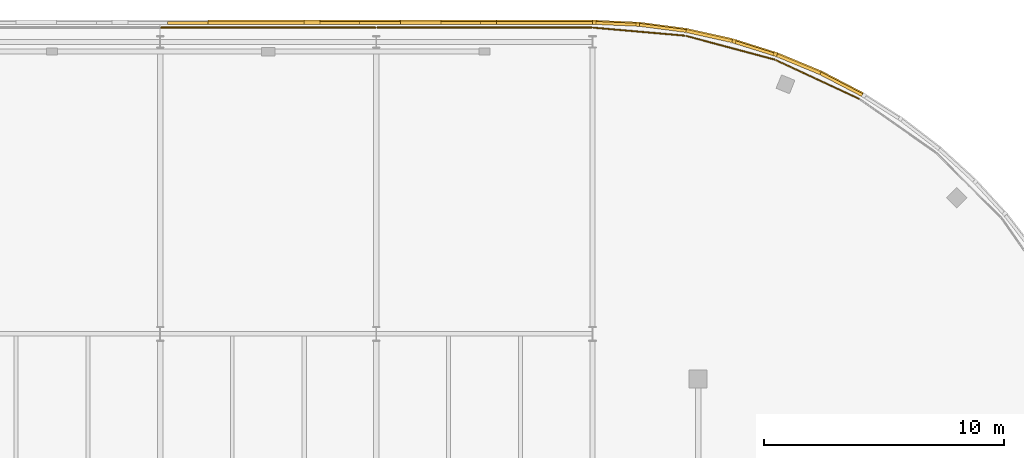
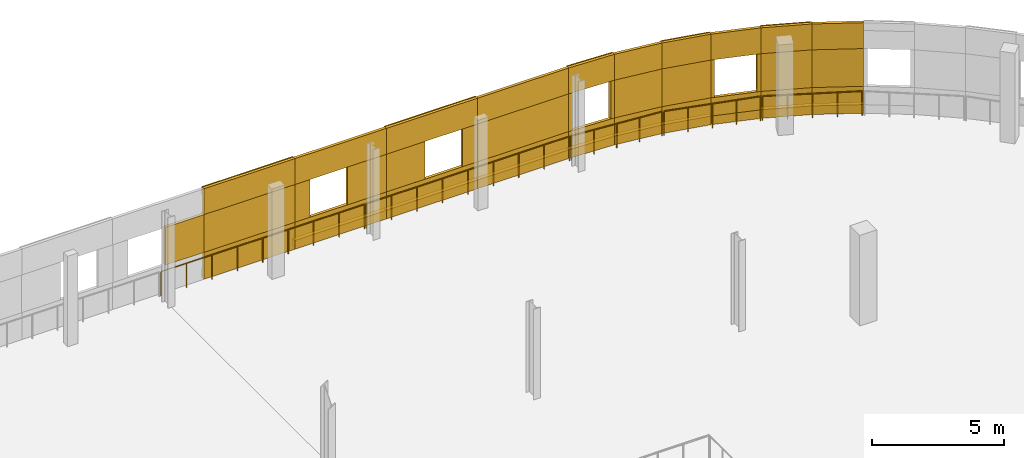
# One storey, part 130 of 135: 50 coverings, 5 railings.
"""IFC4 building model written with IfcOpenShell, lengths in metres."""

from ifc_helpers import new_model, si_unit, direction, frame, origin, origin_2d, place, context, subcontext, project, spatial, rectangle, circle, extrude, material, layer, layer_set, type_object, element, save


model = new_model("IFC4")

# Units and contexts
model_context = context("Model", 3, precision=1e-05, world=origin(), true_north=direction((0.0, 1.0)))
body_context = subcontext(model_context, "Body", "Model", "MODEL_VIEW")
ifc_project = project(units=[si_unit("LENGTHUNIT", "METRE"), si_unit("AREAUNIT", "SQUARE_METRE"), si_unit("VOLUMEUNIT", "CUBIC_METRE"), si_unit("PLANEANGLEUNIT", "RADIAN"), si_unit("MASSUNIT", "GRAM", prefix="KILO")], contexts=[model_context])

# Site, building, storey
site_placement = place(None, origin())
site = spatial("IfcSite", under=ifc_project, at=site_placement, CompositionType="ELEMENT")
building_placement = place(site_placement, origin())
building = spatial("IfcBuilding", under=site, at=building_placement, Name="Deido Ridge Mobility Hub", CompositionType="ELEMENT")
storey_placement = place(building_placement, frame((0.0, 0.0, 4.199951171875)))
storey = spatial("IfcBuildingStorey", under=building, at=storey_placement, Name="L01", CompositionType="ELEMENT", Elevation=4.199951171875)

# Coverings
ifc_material_1 = material(Name="Fired clay brick masonry", Category="masonry")
ifc_layer = layer(ifc_material_1, 0.114990234375, Name="Fired clay brick masonry")
ifc_layer_set = layer_set([ifc_layer], Name="Fired clay brick masonry")
covering_type = type_object("IfcCoveringType", Name="COV-BRK-SCREEN-115", PredefinedType="CLADDING", material=ifc_layer_set)
covering_1_placement = place(storey_placement, frame((127.355224609375, 123.392333984375, 0.0), z_axis=(0.0, 0.0, 1.0), x_axis=(-0.887018892077, 0.461733131905, 0.0)))
element("IfcCovering", 1, at=covering_1_placement, inside=storey, type_object=covering_type, Name="Open brickwork spandrel course BKS1 (L01)", PredefinedType="CLADDING", context=body_context, shape_type="SweptSolid", body=[
    extrude(rectangle(XDim=1.9619140625, YDim=0.125, at=origin_2d()), origin(), (0.0, 0.0, 1.0), 1.25),
])
covering_2_placement = place(storey_placement, frame((127.367919921875, 123.416748046875, 0.0), z_axis=(0.0, 0.0, 1.0), x_axis=(-0.887018892077, 0.461733131905, 0.0)))
element("IfcCovering", 2, at=covering_2_placement, inside=storey, type_object=covering_type, Name="Raised brick relief belt BKS1 (L01)", PredefinedType="CLADDING", context=body_context, shape_type="SweptSolid", body=[
    extrude(rectangle(XDim=1.9619140625, YDim=0.179931640625, at=origin_2d()), origin(), (0.0, 0.0, 1.0), 0.39990234375),
])
covering_3_placement = place(storey_placement, frame((127.355224609375, 123.392333984375, 3.0), z_axis=(0.0, 0.0, 1.0), x_axis=(-0.887018892077, 0.461733131905, 0.0)))
element("IfcCovering", 3, at=covering_3_placement, inside=storey, type_object=covering_type, Name="Open brickwork lintel course BKS1 (L01)", PredefinedType="CLADDING", context=body_context, shape_type="SweptSolid", body=[
    extrude(rectangle(XDim=1.9619140625, YDim=0.125, at=origin_2d()), origin(), (0.0, 0.0, 1.0), 1.199951171875),
])
covering_4_placement = place(storey_placement, frame((127.355224609375, 123.392333984375, 1.25), z_axis=(0.0, 0.0, 1.0), x_axis=(-0.887018892077, 0.461733131905, 0.0)))
element("IfcCovering", 4, at=covering_4_placement, inside=storey, type_object=covering_type, Name="Curved raised brickwork pier BKS1 (L01)", PredefinedType="CLADDING", context=body_context, shape_type="SweptSolid", body=[
    extrude(rectangle(XDim=1.9619140625, YDim=0.125, at=origin_2d()), origin(), (0.0, 0.0, 1.0), 1.75),
])
covering_5_placement = place(storey_placement, frame((125.58203125, 124.218994140625, 0.0), z_axis=(0.0, 0.0, 1.0), x_axis=(-0.923872853285, 0.382699557047, 0.0)))
element("IfcCovering", 5, at=covering_5_placement, inside=storey, type_object=covering_type, Name="Open brickwork spandrel course BKS1 (L01)", PredefinedType="CLADDING", context=body_context, shape_type="SweptSolid", body=[
    extrude(rectangle(XDim=1.9619140625, YDim=0.125, at=origin_2d()), origin(), (0.0, 0.0, 1.0), 1.25),
])
covering_6_placement = place(storey_placement, frame((125.5927734375, 124.244384765625, 0.0), z_axis=(0.0, 0.0, 1.0), x_axis=(-0.923872853285, 0.382699557047, 0.0)))
element("IfcCovering", 6, at=covering_6_placement, inside=storey, type_object=covering_type, Name="Raised brick relief belt BKS1 (L01)", PredefinedType="CLADDING", context=body_context, shape_type="SweptSolid", body=[
    extrude(rectangle(XDim=1.9619140625, YDim=0.179931640625, at=origin_2d()), origin(), (0.0, 0.0, 1.0), 0.39990234375),
])
covering_7_placement = place(storey_placement, frame((125.58203125, 124.218994140625, 3.0), z_axis=(0.0, 0.0, 1.0), x_axis=(-0.923872853285, 0.382699557047, 0.0)))
element("IfcCovering", 7, at=covering_7_placement, inside=storey, type_object=covering_type, Name="Open brickwork lintel course BKS1 (L01)", PredefinedType="CLADDING", context=body_context, shape_type="SweptSolid", body=[
    extrude(rectangle(XDim=1.9619140625, YDim=0.125, at=origin_2d()), origin(), (0.0, 0.0, 1.0), 1.199951171875),
])
covering_8_placement = place(storey_placement, frame((125.5927734375, 124.244384765625, 3.83984375), z_axis=(0.0, 0.0, 1.0), x_axis=(-0.923872853285, 0.382699557047, 0.0)))
element("IfcCovering", 8, at=covering_8_placement, inside=storey, type_object=covering_type, Name="Raised brick relief cornice BKS1 (L01)", PredefinedType="CLADDING", context=body_context, shape_type="SweptSolid", body=[
    extrude(rectangle(XDim=1.9619140625, YDim=0.179931640625, at=origin_2d()), origin(), (0.0, 0.0, 1.0), 0.360107421875),
])
covering_9_placement = place(storey_placement, frame((125.5927734375, 124.244384765625, 1.25), z_axis=(0.0, 0.0, 1.0), x_axis=(-0.923872853285, 0.382699557047, 0.0)))
element("IfcCovering", 9, at=covering_9_placement, inside=storey, type_object=covering_type, Name="Curved raised brickwork pier BKS1 (L01)", PredefinedType="CLADDING", context=body_context, shape_type="SweptSolid", body=[
    extrude(rectangle(XDim=1.9619140625, YDim=0.179931640625, at=origin_2d()), origin(), (0.0, 0.0, 1.0), 1.75),
])
covering_10_placement = place(storey_placement, frame((123.74365234375, 124.88818359375, 0.0), z_axis=(0.0, 0.0, 1.0), x_axis=(-0.95372744678, 0.300672508319, 0.0)))
element("IfcCovering", 10, at=covering_10_placement, inside=storey, type_object=covering_type, Name="Open brickwork spandrel course BKS1 (L01)", PredefinedType="CLADDING", context=body_context, shape_type="SweptSolid", body=[
    extrude(rectangle(XDim=1.9619140625, YDim=0.125, at=origin_2d()), origin(), (0.0, 0.0, 1.0), 1.25),
])
covering_11_placement = place(storey_placement, frame((123.751953125, 124.914306640625, 0.0), z_axis=(0.0, 0.0, 1.0), x_axis=(-0.95372744678, 0.300672508319, 0.0)))
element("IfcCovering", 11, at=covering_11_placement, inside=storey, type_object=covering_type, Name="Raised brick relief belt BKS1 (L01)", PredefinedType="CLADDING", context=body_context, shape_type="SweptSolid", body=[
    extrude(rectangle(XDim=1.9619140625, YDim=0.179931640625, at=origin_2d()), origin(), (0.0, 0.0, 1.0), 0.39990234375),
])
covering_12_placement = place(storey_placement, frame((123.74365234375, 124.88818359375, 3.0), z_axis=(0.0, 0.0, 1.0), x_axis=(-0.95372744678, 0.300672508319, 0.0)))
element("IfcCovering", 12, at=covering_12_placement, inside=storey, type_object=covering_type, Name="Open brickwork lintel course BKS1 (L01)", PredefinedType="CLADDING", context=body_context, shape_type="SweptSolid", body=[
    extrude(rectangle(XDim=1.9619140625, YDim=0.125, at=origin_2d()), origin(), (0.0, 0.0, 1.0), 1.199951171875),
])
for number, where, z_axis, x_axis, name in (
    (13, (124.611328125, 124.6435546875, 1.25), (0.0, 0.0, 1.0), (-0.95372744678, 0.300672508319, 0.0), "Curved brick jamb nib BKS1 (L01)"),
    (14, (122.892578125, 125.185302734375, 1.25), (0.0, 0.0, 1.0), (-0.95372744678, 0.300672508319, 0.0), "Curved brick jamb nib BKS1 (L01)"),
):
    element("IfcCovering", number, at=place(storey_placement, frame(where, z_axis=z_axis, x_axis=x_axis)), inside=storey, type_object=covering_type, Name=name, PredefinedType="CLADDING", context=body_context, shape_type="SweptSolid", body=[
        extrude(rectangle(XDim=0.152099609375, YDim=0.179931640625, at=origin_2d()), origin(), (0.0, 0.0, 1.0), 1.75),
    ])
covering_13_placement = place(storey_placement, frame((121.85400390625, 125.39453125, 0.0), z_axis=(0.0, 0.0, 1.0), x_axis=(-0.976292229387, 0.216456653485, 0.0)))
element("IfcCovering", 15, at=covering_13_placement, inside=storey, type_object=covering_type, Name="Open brickwork spandrel course BKS1 (L01)", PredefinedType="CLADDING", context=body_context, shape_type="SweptSolid", body=[
    extrude(rectangle(XDim=1.9619140625, YDim=0.125, at=origin_2d()), origin(), (0.0, 0.0, 1.0), 1.25),
])
covering_14_placement = place(storey_placement, frame((121.85986328125, 125.42138671875, 0.0), z_axis=(0.0, 0.0, 1.0), x_axis=(-0.976292229387, 0.216456653485, 0.0)))
element("IfcCovering", 16, at=covering_14_placement, inside=storey, type_object=covering_type, Name="Raised brick relief belt BKS1 (L01)", PredefinedType="CLADDING", context=body_context, shape_type="SweptSolid", body=[
    extrude(rectangle(XDim=1.9619140625, YDim=0.179931640625, at=origin_2d()), origin(), (0.0, 0.0, 1.0), 0.39990234375),
])
covering_15_placement = place(storey_placement, frame((121.85400390625, 125.39453125, 3.0), z_axis=(0.0, 0.0, 1.0), x_axis=(-0.976292229387, 0.216456653485, 0.0)))
element("IfcCovering", 17, at=covering_15_placement, inside=storey, type_object=covering_type, Name="Open brickwork lintel course BKS1 (L01)", PredefinedType="CLADDING", context=body_context, shape_type="SweptSolid", body=[
    extrude(rectangle(XDim=1.9619140625, YDim=0.125, at=origin_2d()), origin(), (0.0, 0.0, 1.0), 1.199951171875),
])
covering_16_placement = place(storey_placement, frame((121.85986328125, 125.42138671875, 3.83984375), z_axis=(0.0, 0.0, 1.0), x_axis=(-0.976292229387, 0.216456653485, 0.0)))
element("IfcCovering", 18, at=covering_16_placement, inside=storey, type_object=covering_type, Name="Raised brick relief cornice BKS1 (L01)", PredefinedType="CLADDING", context=body_context, shape_type="SweptSolid", body=[
    extrude(rectangle(XDim=1.9619140625, YDim=0.179931640625, at=origin_2d()), origin(), (0.0, 0.0, 1.0), 0.360107421875),
])
covering_17_placement = place(storey_placement, frame((121.85986328125, 125.42138671875, 1.25), z_axis=(0.0, 0.0, 1.0), x_axis=(-0.976292229387, 0.216456653485, 0.0)))
element("IfcCovering", 19, at=covering_17_placement, inside=storey, type_object=covering_type, Name="Curved raised brickwork pier BKS1 (L01)", PredefinedType="CLADDING", context=body_context, shape_type="SweptSolid", body=[
    extrude(rectangle(XDim=1.9619140625, YDim=0.179931640625, at=origin_2d()), origin(), (0.0, 0.0, 1.0), 1.75),
])
covering_18_placement = place(storey_placement, frame((119.92724609375, 125.734375, 0.0), z_axis=(0.0, 0.0, 1.0), x_axis=(-0.991442583111, 0.130543496177, 0.0)))
element("IfcCovering", 20, at=covering_18_placement, inside=storey, type_object=covering_type, Name="Open brickwork spandrel course BKS1 (L01)", PredefinedType="CLADDING", context=body_context, shape_type="SweptSolid", body=[
    extrude(rectangle(XDim=1.9619140625, YDim=0.125, at=origin_2d()), origin(), (0.0, 0.0, 1.0), 1.25),
])
covering_19_placement = place(storey_placement, frame((119.930908203125, 125.76171875, 0.0), z_axis=(0.0, 0.0, 1.0), x_axis=(-0.991442583111, 0.130543496177, 0.0)))
element("IfcCovering", 21, at=covering_19_placement, inside=storey, type_object=covering_type, Name="Raised brick relief belt BKS1 (L01)", PredefinedType="CLADDING", context=body_context, shape_type="SweptSolid", body=[
    extrude(rectangle(XDim=1.9619140625, YDim=0.179931640625, at=origin_2d()), origin(), (0.0, 0.0, 1.0), 0.39990234375),
])
covering_20_placement = place(storey_placement, frame((119.92724609375, 125.734375, 3.0), z_axis=(0.0, 0.0, 1.0), x_axis=(-0.991442583111, 0.130543496177, 0.0)))
element("IfcCovering", 22, at=covering_20_placement, inside=storey, type_object=covering_type, Name="Open brickwork lintel course BKS1 (L01)", PredefinedType="CLADDING", context=body_context, shape_type="SweptSolid", body=[
    extrude(rectangle(XDim=1.9619140625, YDim=0.125, at=origin_2d()), origin(), (0.0, 0.0, 1.0), 1.199951171875),
])
covering_21_placement = place(storey_placement, frame((119.92724609375, 125.734375, 1.25), z_axis=(0.0, 0.0, 1.0), x_axis=(-0.991442583111, 0.130543496177, 0.0)))
element("IfcCovering", 23, at=covering_21_placement, inside=storey, type_object=covering_type, Name="Curved raised brickwork pier BKS1 (L01)", PredefinedType="CLADDING", context=body_context, shape_type="SweptSolid", body=[
    extrude(rectangle(XDim=1.9619140625, YDim=0.125, at=origin_2d()), origin(), (0.0, 0.0, 1.0), 1.75),
])
covering_22_placement = place(storey_placement, frame((117.978271484375, 125.90478515625, 0.0), z_axis=(0.0, 0.0, 1.0), x_axis=(-0.999048982732, 0.043601950678, 0.0)))
element("IfcCovering", 24, at=covering_22_placement, inside=storey, type_object=covering_type, Name="Open brickwork spandrel course BKS1 (L01)", PredefinedType="CLADDING", context=body_context, shape_type="SweptSolid", body=[
    extrude(rectangle(XDim=1.9619140625, YDim=0.125, at=origin_2d()), origin(), (0.0, 0.0, 1.0), 1.25),
])
covering_23_placement = place(storey_placement, frame((117.9794921875, 125.932373046875, 0.0), z_axis=(0.0, 0.0, 1.0), x_axis=(-0.999048982732, 0.043601950678, 0.0)))
element("IfcCovering", 25, at=covering_23_placement, inside=storey, type_object=covering_type, Name="Raised brick relief belt BKS1 (L01)", PredefinedType="CLADDING", context=body_context, shape_type="SweptSolid", body=[
    extrude(rectangle(XDim=1.9619140625, YDim=0.179931640625, at=origin_2d()), origin(), (0.0, 0.0, 1.0), 0.39990234375),
])
covering_24_placement = place(storey_placement, frame((117.978271484375, 125.90478515625, 3.0), z_axis=(0.0, 0.0, 1.0), x_axis=(-0.999048982732, 0.043601950678, 0.0)))
element("IfcCovering", 26, at=covering_24_placement, inside=storey, type_object=covering_type, Name="Open brickwork lintel course BKS1 (L01)", PredefinedType="CLADDING", context=body_context, shape_type="SweptSolid", body=[
    extrude(rectangle(XDim=1.9619140625, YDim=0.125, at=origin_2d()), origin(), (0.0, 0.0, 1.0), 1.199951171875),
])
covering_25_placement = place(storey_placement, frame((117.9794921875, 125.932373046875, 3.83984375), z_axis=(0.0, 0.0, 1.0), x_axis=(-0.999048982732, 0.043601950678, 0.0)))
element("IfcCovering", 27, at=covering_25_placement, inside=storey, type_object=covering_type, Name="Raised brick relief cornice BKS1 (L01)", PredefinedType="CLADDING", context=body_context, shape_type="SweptSolid", body=[
    extrude(rectangle(XDim=1.9619140625, YDim=0.179931640625, at=origin_2d()), origin(), (0.0, 0.0, 1.0), 0.360107421875),
])
for number, where, z_axis, x_axis, name in (
    (28, (118.879638671875, 125.89306640625, 1.25), (0.0, 0.0, 1.0), (-0.999048982732, 0.043601950678, 0.0), "Curved brick jamb nib BKS1 (L01)"),
    (29, (117.0791015625, 125.9716796875, 1.25), (0.0, 0.0, 1.0), (-0.999048982732, 0.043601950678, 0.0), "Curved brick jamb nib BKS1 (L01)"),
):
    element("IfcCovering", number, at=place(storey_placement, frame(where, z_axis=z_axis, x_axis=x_axis)), inside=storey, type_object=covering_type, Name=name, PredefinedType="CLADDING", context=body_context, shape_type="SweptSolid", body=[
        extrude(rectangle(XDim=0.152099609375, YDim=0.179931640625, at=origin_2d()), origin(), (0.0, 0.0, 1.0), 1.75),
    ])
covering_26_placement = place(storey_placement, frame((115.0, 125.947509765625, 0.0), z_axis=(0.0, 0.0, 1.0), x_axis=(-1.0, 0.0, 0.0)))
element("IfcCovering", 30, at=covering_26_placement, inside=storey, type_object=covering_type, Name="Open brickwork spandrel course BKS1 (L01)", PredefinedType="CLADDING", context=body_context, shape_type="SweptSolid", body=[
    extrude(rectangle(XDim=4.01611328125, YDim=0.125, at=origin_2d()), origin(), (0.0, 0.0, 1.0), 1.25),
])
covering_27_placement = place(storey_placement, frame((115.0, 125.97509765625, 0.0), z_axis=(0.0, 0.0, 1.0), x_axis=(-1.0, 0.0, 0.0)))
element("IfcCovering", 31, at=covering_27_placement, inside=storey, type_object=covering_type, Name="Raised brick relief belt BKS1 (L01)", PredefinedType="CLADDING", context=body_context, shape_type="SweptSolid", body=[
    extrude(rectangle(XDim=4.01611328125, YDim=0.179931640625, at=origin_2d()), origin(), (0.0, 0.0, 1.0), 0.39990234375),
])
covering_28_placement = place(storey_placement, frame((115.0, 125.947509765625, 3.0), z_axis=(0.0, 0.0, 1.0), x_axis=(-1.0, 0.0, 0.0)))
element("IfcCovering", 32, at=covering_28_placement, inside=storey, type_object=covering_type, Name="Open brickwork lintel course BKS1 (L01)", PredefinedType="CLADDING", context=body_context, shape_type="SweptSolid", body=[
    extrude(rectangle(XDim=4.01611328125, YDim=0.125, at=origin_2d()), origin(), (0.0, 0.0, 1.0), 1.199951171875),
])
covering_29_placement = place(storey_placement, frame((115.0, 125.97509765625, 1.25), z_axis=(0.0, 0.0, 1.0), x_axis=(-1.0, 0.0, 0.0)))
element("IfcCovering", 33, at=covering_29_placement, inside=storey, type_object=covering_type, Name="Raised brick relief panel BKS1 (L01)", PredefinedType="CLADDING", context=body_context, shape_type="SweptSolid", body=[
    extrude(rectangle(XDim=4.008056640625, YDim=0.179931640625, at=origin_2d()), origin(), (0.0, 0.0, 1.0), 1.75),
])
covering_30_placement = place(storey_placement, frame((111.0, 125.947509765625, 0.0), z_axis=(0.0, 0.0, 1.0), x_axis=(-1.0, 0.0, 0.0)))
element("IfcCovering", 34, at=covering_30_placement, inside=storey, type_object=covering_type, Name="Open brickwork spandrel course BKS1 (L01)", PredefinedType="CLADDING", context=body_context, shape_type="SweptSolid", body=[
    extrude(rectangle(XDim=4.01611328125, YDim=0.125, at=origin_2d()), origin(), (0.0, 0.0, 1.0), 1.25),
])
covering_31_placement = place(storey_placement, frame((111.0, 125.97509765625, 0.0), z_axis=(0.0, 0.0, 1.0), x_axis=(-1.0, 0.0, 0.0)))
element("IfcCovering", 35, at=covering_31_placement, inside=storey, type_object=covering_type, Name="Raised brick relief belt BKS1 (L01)", PredefinedType="CLADDING", context=body_context, shape_type="SweptSolid", body=[
    extrude(rectangle(XDim=4.01611328125, YDim=0.179931640625, at=origin_2d()), origin(), (0.0, 0.0, 1.0), 0.39990234375),
])
covering_32_placement = place(storey_placement, frame((111.0, 125.947509765625, 3.0), z_axis=(0.0, 0.0, 1.0), x_axis=(-1.0, 0.0, 0.0)))
element("IfcCovering", 36, at=covering_32_placement, inside=storey, type_object=covering_type, Name="Open brickwork lintel course BKS1 (L01)", PredefinedType="CLADDING", context=body_context, shape_type="SweptSolid", body=[
    extrude(rectangle(XDim=4.01611328125, YDim=0.125, at=origin_2d()), origin(), (0.0, 0.0, 1.0), 1.199951171875),
])
covering_33_placement = place(storey_placement, frame((111.0, 125.97509765625, 3.83984375), z_axis=(0.0, 0.0, 1.0), x_axis=(-1.0, 0.0, 0.0)))
element("IfcCovering", 37, at=covering_33_placement, inside=storey, type_object=covering_type, Name="Raised brick relief cornice BKS1 (L01)", PredefinedType="CLADDING", context=body_context, shape_type="SweptSolid", body=[
    extrude(rectangle(XDim=4.01611328125, YDim=0.179931640625, at=origin_2d()), origin(), (0.0, 0.0, 1.0), 0.360107421875),
])
covering_34_placement = place(storey_placement, frame((112.672607421875, 125.947509765625, 1.25), z_axis=(0.0, 0.0, 1.0), x_axis=(-1.0, 0.0, 0.0)))
element("IfcCovering", 38, at=covering_34_placement, inside=storey, type_object=covering_type, Name="Open brickwork pier BKS1 (L01)", PredefinedType="CLADDING", context=body_context, shape_type="SweptSolid", body=[
    extrude(rectangle(XDim=0.655029296875, YDim=0.125, at=origin_2d()), origin(), (0.0, 0.0, 1.0), 1.75),
])
covering_35_placement = place(storey_placement, frame((109.847412109375, 125.97509765625, 1.25), z_axis=(0.0, 0.0, 1.0), x_axis=(-1.0, 0.0, 0.0)))
element("IfcCovering", 39, at=covering_35_placement, inside=storey, type_object=covering_type, Name="Open brickwork pier BKS1 (L01)", PredefinedType="CLADDING", context=body_context, shape_type="SweptSolid", body=[
    extrude(rectangle(XDim=1.695068359375, YDim=0.179931640625, at=origin_2d()), origin(), (0.0, 0.0, 1.0), 1.75),
])
covering_36_placement = place(storey_placement, frame((107.0, 125.947509765625, 0.0), z_axis=(0.0, 0.0, 1.0), x_axis=(-1.0, 0.0, 0.0)))
element("IfcCovering", 40, at=covering_36_placement, inside=storey, type_object=covering_type, Name="Open brickwork spandrel course BKS1 (L01)", PredefinedType="CLADDING", context=body_context, shape_type="SweptSolid", body=[
    extrude(rectangle(XDim=4.01611328125, YDim=0.125, at=origin_2d()), origin(), (0.0, 0.0, 1.0), 1.25),
])
covering_37_placement = place(storey_placement, frame((107.0, 125.97509765625, 0.0), z_axis=(0.0, 0.0, 1.0), x_axis=(-1.0, 0.0, 0.0)))
element("IfcCovering", 41, at=covering_37_placement, inside=storey, type_object=covering_type, Name="Raised brick relief belt BKS1 (L01)", PredefinedType="CLADDING", context=body_context, shape_type="SweptSolid", body=[
    extrude(rectangle(XDim=4.01611328125, YDim=0.179931640625, at=origin_2d()), origin(), (0.0, 0.0, 1.0), 0.39990234375),
])
covering_38_placement = place(storey_placement, frame((107.0, 125.947509765625, 3.0), z_axis=(0.0, 0.0, 1.0), x_axis=(-1.0, 0.0, 0.0)))
element("IfcCovering", 42, at=covering_38_placement, inside=storey, type_object=covering_type, Name="Open brickwork lintel course BKS1 (L01)", PredefinedType="CLADDING", context=body_context, shape_type="SweptSolid", body=[
    extrude(rectangle(XDim=4.01611328125, YDim=0.125, at=origin_2d()), origin(), (0.0, 0.0, 1.0), 1.199951171875),
])
covering_39_placement = place(storey_placement, frame((108.152587890625, 125.947509765625, 1.25), z_axis=(0.0, 0.0, 1.0), x_axis=(-1.0, 0.0, 0.0)))
element("IfcCovering", 43, at=covering_39_placement, inside=storey, type_object=covering_type, Name="Open brickwork pier BKS1 (L01)", PredefinedType="CLADDING", context=body_context, shape_type="SweptSolid", body=[
    extrude(rectangle(XDim=1.695068359375, YDim=0.125, at=origin_2d()), origin(), (0.0, 0.0, 1.0), 1.75),
])
covering_40_placement = place(storey_placement, frame((105.327392578125, 125.97509765625, 1.25), z_axis=(0.0, 0.0, 1.0), x_axis=(-1.0, 0.0, 0.0)))
element("IfcCovering", 44, at=covering_40_placement, inside=storey, type_object=covering_type, Name="Open brickwork pier BKS1 (L01)", PredefinedType="CLADDING", context=body_context, shape_type="SweptSolid", body=[
    extrude(rectangle(XDim=0.655029296875, YDim=0.179931640625, at=origin_2d()), origin(), (0.0, 0.0, 1.0), 1.75),
])
covering_41_placement = place(storey_placement, frame((103.0, 125.947509765625, 0.0), z_axis=(0.0, 0.0, 1.0), x_axis=(-1.0, 0.0, 0.0)))
element("IfcCovering", 45, at=covering_41_placement, inside=storey, type_object=covering_type, Name="Open brickwork spandrel course BKS1 (L01)", PredefinedType="CLADDING", context=body_context, shape_type="SweptSolid", body=[
    extrude(rectangle(XDim=4.01611328125, YDim=0.125, at=origin_2d()), origin(), (0.0, 0.0, 1.0), 1.25),
])
covering_42_placement = place(storey_placement, frame((103.0, 125.97509765625, 0.0), z_axis=(0.0, 0.0, 1.0), x_axis=(-1.0, 0.0, 0.0)))
element("IfcCovering", 46, at=covering_42_placement, inside=storey, type_object=covering_type, Name="Raised brick relief belt BKS1 (L01)", PredefinedType="CLADDING", context=body_context, shape_type="SweptSolid", body=[
    extrude(rectangle(XDim=4.01611328125, YDim=0.179931640625, at=origin_2d()), origin(), (0.0, 0.0, 1.0), 0.39990234375),
])
covering_43_placement = place(storey_placement, frame((103.0, 125.947509765625, 3.0), z_axis=(0.0, 0.0, 1.0), x_axis=(-1.0, 0.0, 0.0)))
element("IfcCovering", 47, at=covering_43_placement, inside=storey, type_object=covering_type, Name="Open brickwork lintel course BKS1 (L01)", PredefinedType="CLADDING", context=body_context, shape_type="SweptSolid", body=[
    extrude(rectangle(XDim=4.01611328125, YDim=0.125, at=origin_2d()), origin(), (0.0, 0.0, 1.0), 1.199951171875),
])
covering_44_placement = place(storey_placement, frame((103.0, 125.97509765625, 3.83984375), z_axis=(0.0, 0.0, 1.0), x_axis=(-1.0, 0.0, 0.0)))
element("IfcCovering", 48, at=covering_44_placement, inside=storey, type_object=covering_type, Name="Raised brick relief cornice BKS1 (L01)", PredefinedType="CLADDING", context=body_context, shape_type="SweptSolid", body=[
    extrude(rectangle(XDim=4.01611328125, YDim=0.179931640625, at=origin_2d()), origin(), (0.0, 0.0, 1.0), 0.360107421875),
])
covering_45_placement = place(storey_placement, frame((103.0, 125.97509765625, 1.25), z_axis=(0.0, 0.0, 1.0), x_axis=(-1.0, 0.0, 0.0)))
element("IfcCovering", 49, at=covering_45_placement, inside=storey, type_object=covering_type, Name="Raised brick relief panel BKS1 (L01)", PredefinedType="CLADDING", context=body_context, shape_type="SweptSolid", body=[
    extrude(rectangle(XDim=4.008056640625, YDim=0.179931640625, at=origin_2d()), origin(), (0.0, 0.0, 1.0), 1.75),
])
covering_46_placement = place(storey_placement, frame((100.152587890625, 125.947509765625, 1.25), z_axis=(0.0, 0.0, 1.0), x_axis=(-1.0, 0.0, 0.0)))
element("IfcCovering", 50, at=covering_46_placement, inside=storey, type_object=covering_type, Name="Open brickwork pier BKS1 (L01)", PredefinedType="CLADDING", context=body_context, shape_type="SweptSolid", body=[
    extrude(rectangle(XDim=1.695068359375, YDim=0.125, at=origin_2d()), origin(), (0.0, 0.0, 1.0), 1.75),
])

# Railings
ifc_material_2 = material(Name="Galvanised steel work", Category="steel")
railing_type = type_object("IfcRailingType", Name="RL-GRD-EXT-1150", PredefinedType="GUARDRAIL", material=ifc_material_2)
railing_1_placement = place(storey_placement, frame((128.088623046875, 122.785888671875, 0.0)))
element("IfcRailing", 51, at=railing_1_placement, inside=storey, type_object=railing_type, Name="Parking drum perimeter guard (L01)", PredefinedType="GUARDRAIL", context=body_context, shape_type="SweptSolid", body=[
    extrude(circle(Radius=0.02392578125, at=origin_2d()), frame((0.0, 0.0, 1.1259765625), z_axis=(-0.906281639574, 0.422674330627, 0.0), x_axis=(-0.422674330627, -0.906281639574, 0.0)), (0.0, 0.0, 1.0), 3.79833984375),
    extrude(circle(Radius=0.02099609375, at=origin_2d()), origin(), (0.0, 0.0, 1.0), 1.101806640625),
    extrude(circle(Radius=0.02099609375, at=origin_2d()), frame((-0.860595703125, 0.4013671875, 0.0)), (0.0, 0.0, 1.0), 1.101806640625),
    extrude(circle(Radius=0.02099609375, at=origin_2d()), frame((-1.72119140625, 0.802734375, 0.0)), (0.0, 0.0, 1.0), 1.101806640625),
    extrude(circle(Radius=0.02099609375, at=origin_2d()), frame((-2.581787109375, 1.2041015625, 0.0)), (0.0, 0.0, 1.0), 1.101806640625),
    extrude(circle(Radius=0.02099609375, at=origin_2d()), frame((-3.4423828125, 1.60546875, 0.0)), (0.0, 0.0, 1.0), 1.101806640625),
])
railing_2_placement = place(storey_placement, frame((124.5712890625, 124.418701171875, 0.0)))
element("IfcRailing", 52, at=railing_2_placement, inside=storey, type_object=railing_type, Name="Parking drum perimeter guard (L01)", PredefinedType="GUARDRAIL", context=body_context, shape_type="SweptSolid", body=[
    extrude(circle(Radius=0.02392578125, at=origin_2d()), frame((0.0, 0.0, 1.1259765625), z_axis=(-0.965937723757, 0.258774639064, 0.0), x_axis=(-0.258774639064, -0.965937723757, 0.0)), (0.0, 0.0, 1.0), 3.79833984375),
    extrude(circle(Radius=0.02099609375, at=origin_2d()), origin(), (0.0, 0.0, 1.0), 1.101806640625),
    extrude(circle(Radius=0.02099609375, at=origin_2d()), frame((-0.917236328125, 0.24560546875, 0.0)), (0.0, 0.0, 1.0), 1.101806640625),
    extrude(circle(Radius=0.02099609375, at=origin_2d()), frame((-1.83447265625, 0.491455078125, 0.0)), (0.0, 0.0, 1.0), 1.101806640625),
    extrude(circle(Radius=0.02099609375, at=origin_2d()), frame((-2.751708984375, 0.7373046875, 0.0)), (0.0, 0.0, 1.0), 1.101806640625),
    extrude(circle(Radius=0.02099609375, at=origin_2d()), frame((-3.6689453125, 0.98291015625, 0.0)), (0.0, 0.0, 1.0), 1.101806640625),
])
railing_3_placement = place(storey_placement, frame((120.823974609375, 125.41552734375, 0.0)))
element("IfcRailing", 53, at=railing_3_placement, inside=storey, type_object=railing_type, Name="Parking drum perimeter guard (L01)", PredefinedType="GUARDRAIL", context=body_context, shape_type="SweptSolid", body=[
    extrude(circle(Radius=0.02392578125, at=origin_2d()), frame((0.0, 0.0, 1.1259765625), z_axis=(-0.996195112607, 0.08715100469, 0.0), x_axis=(-0.08715100469, -0.996195112607, 0.0)), (0.0, 0.0, 1.0), 3.798583984375),
    extrude(circle(Radius=0.02099609375, at=origin_2d()), origin(), (0.0, 0.0, 1.0), 1.101806640625),
    extrude(circle(Radius=0.02099609375, at=origin_2d()), frame((-0.946044921875, 0.082763671875, 0.0)), (0.0, 0.0, 1.0), 1.101806640625),
    extrude(circle(Radius=0.02099609375, at=origin_2d()), frame((-1.89208984375, 0.16552734375, 0.0)), (0.0, 0.0, 1.0), 1.101806640625),
    extrude(circle(Radius=0.02099609375, at=origin_2d()), frame((-2.838134765625, 0.248291015625, 0.0)), (0.0, 0.0, 1.0), 1.101806640625),
    extrude(circle(Radius=0.02099609375, at=origin_2d()), frame((-3.7841796875, 0.3310546875, 0.0)), (0.0, 0.0, 1.0), 1.101806640625),
])
for number, where, name in (
    (54, (116.9599609375, 125.75, 0.0), "Parking drum perimeter guard (L01)"),
    (55, (107.9599609375, 125.75, 0.0), "Parking drum perimeter guard (L01)"),
):
    element("IfcRailing", number, at=place(storey_placement, frame(where)), inside=storey, type_object=railing_type, Name=name, PredefinedType="GUARDRAIL", context=body_context, shape_type="SweptSolid", body=[
        extrude(circle(Radius=0.02392578125, at=origin_2d()), frame((0.0, 0.0, 1.1259765625), z_axis=(-1.0, 0.0, 0.0), x_axis=(0.0, -1.0, 0.0)), (0.0, 0.0, 1.0), 8.919921875),
        extrude(circle(Radius=0.02099609375, at=origin_2d()), origin(), (0.0, 0.0, 1.0), 1.101806640625),
        extrude(circle(Radius=0.02099609375, at=origin_2d()), frame((-1.114990234375, 0.0, 0.0)), (0.0, 0.0, 1.0), 1.101806640625),
        extrude(circle(Radius=0.02099609375, at=origin_2d()), frame((-2.22998046875, 0.0, 0.0)), (0.0, 0.0, 1.0), 1.101806640625),
        extrude(circle(Radius=0.02099609375, at=origin_2d()), frame((-3.344970703125, 0.0, 0.0)), (0.0, 0.0, 1.0), 1.101806640625),
        extrude(circle(Radius=0.02099609375, at=origin_2d()), frame((-4.4599609375, 0.0, 0.0)), (0.0, 0.0, 1.0), 1.101806640625),
        extrude(circle(Radius=0.02099609375, at=origin_2d()), frame((-5.574951171875, 0.0, 0.0)), (0.0, 0.0, 1.0), 1.101806640625),
        extrude(circle(Radius=0.02099609375, at=origin_2d()), frame((-6.68994140625, 0.0, 0.0)), (0.0, 0.0, 1.0), 1.101806640625),
        extrude(circle(Radius=0.02099609375, at=origin_2d()), frame((-7.804931640625, 0.0, 0.0)), (0.0, 0.0, 1.0), 1.101806640625),
        extrude(circle(Radius=0.02099609375, at=origin_2d()), frame((-8.919921875, 0.0, 0.0)), (0.0, 0.0, 1.0), 1.101806640625),
    ])

save(model, "model.ifc")
